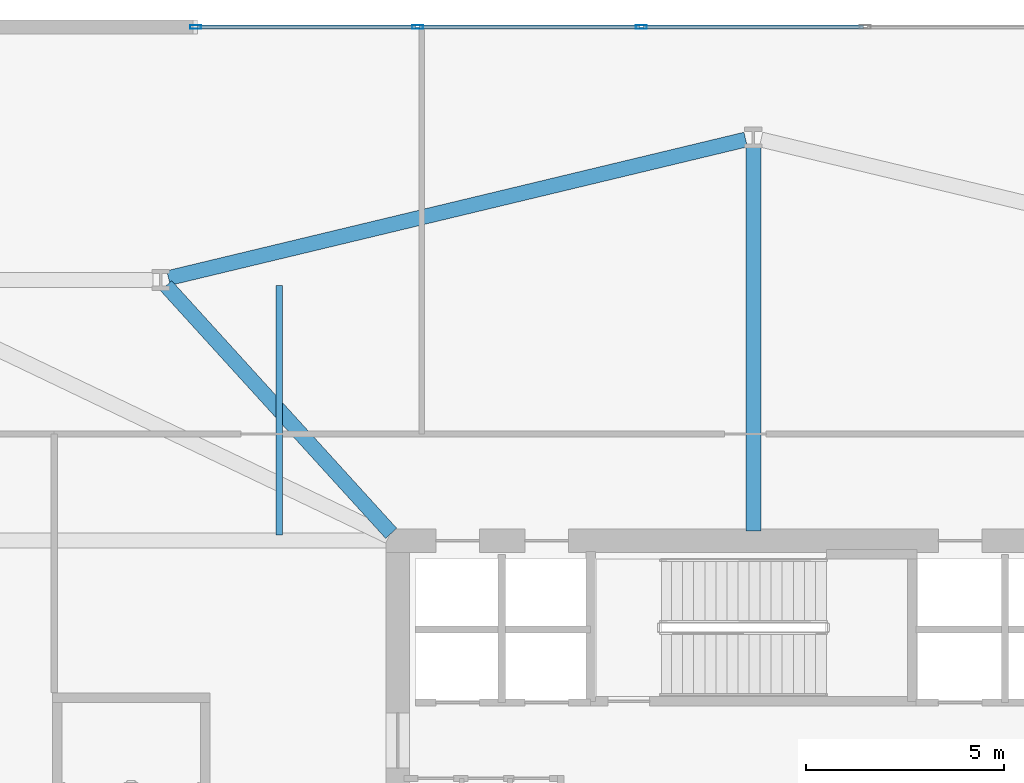
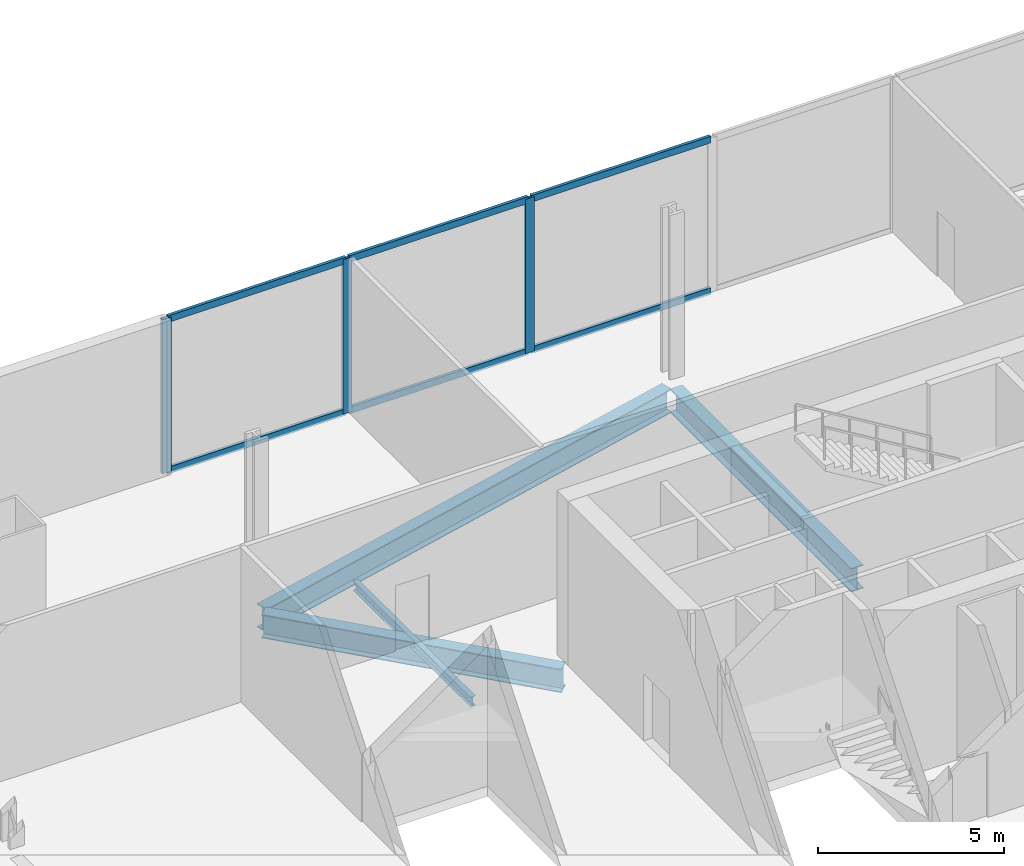
# One storey, part 7 of 20: 9 members, 4 beams, 1 element without a shape of its own.
"""IFC4 building model written with IfcOpenShell, lengths in metres."""

import ifcopenshell
import ifcopenshell.guid

model = None  # the IFC model being written
_history = None  # IfcOwnerHistory: only IFC2X3 demands one
_inside = {}  # id of a spatial element -> (the spatial element, [elements in it])
_under = {}  # id of a project, library or spatial element -> (it, [spatial elements below it])
_declared = {}  # id of a project -> (the project, [libraries it declares])
_typed = {}  # id of a type object -> (the type object, [elements of that type])
_made_of = {}  # id of a material, layer set ... -> (it, [elements and type objects made of it])


def new_model(schema):
    """Start an empty IFC model of exactly this schema.

    Asked for "IFC4X3", IfcOpenShell would pick the latest addendum, in which some entities
    have other attributes; the version numbers below select the first issue.
    IFC2X3 requires an IfcOwnerHistory on every rooted entity: one is made here for all.
    """
    global model, _history
    if schema == "IFC4X3":
        model = ifcopenshell.file(schema_version=(4, 3, 0, 0))
    else:
        model = ifcopenshell.file(schema=schema)
    _inside.clear()
    _under.clear()
    _declared.clear()
    _typed.clear()
    _made_of.clear()
    _history = None
    if model.schema == "IFC2X3":
        org = make("IfcOrganization", Name="unknown")
        user = make(
            "IfcPersonAndOrganization",
            ThePerson=make("IfcPerson", FamilyName="unknown"),
            TheOrganization=org,
        )
        app = make(
            "IfcApplication",
            ApplicationDeveloper=org,
            Version="unknown",
            ApplicationFullName="unknown",
            ApplicationIdentifier="unknown",
        )
        _history = make(
            "IfcOwnerHistory",
            OwningUser=user,
            OwningApplication=app,
            ChangeAction="ADDED",
            CreationDate=0,
        )
    return model


def make(cls, **values):
    """One entity of the class cls with the attributes given. An attribute that is None is left unset."""
    return model.create_entity(
        cls, **{name: value for name, value in values.items() if value is not None}
    )


def rooted(cls, **values):
    """An entity with a GlobalId (a new one), such as an element, a storey or a relation."""
    return make(cls, GlobalId=ifcopenshell.guid.new(), OwnerHistory=_history, **values)


def si_unit(unit_type, name, prefix=None):
    """IfcSIUnit, for example si_unit("LENGTHUNIT", "METRE", prefix="MILLI")."""
    return make("IfcSIUnit", UnitType=unit_type, Prefix=prefix, Name=name)


def assignment(units):
    """IfcUnitAssignment: the units of a project."""
    return None if units is None else make("IfcUnitAssignment", Units=units)


def point(xyz):
    """IfcCartesianPoint."""
    return None if xyz is None else make("IfcCartesianPoint", Coordinates=xyz)


def direction(xyz):
    """IfcDirection."""
    return None if xyz is None else make("IfcDirection", DirectionRatios=xyz)


def frame(location, z_axis=None, x_axis=None):
    """IfcAxis2Placement3D, a coordinate frame: its origin and axes. An axis left out is left unset."""
    return make(
        "IfcAxis2Placement3D",
        Location=point(location),
        Axis=direction(z_axis),
        RefDirection=direction(x_axis),
    )


def frame_2d(location, x_axis=None):
    """IfcAxis2Placement2D, a coordinate frame in the plane: its origin and x axis."""
    return make(
        "IfcAxis2Placement2D", Location=point(location), RefDirection=direction(x_axis)
    )


def origin():
    """The frame at (0, 0, 0) with its axes left unset."""
    return frame((0.0, 0.0, 0.0))


def origin_2d():
    """The frame at (0, 0) in the plane with its x axis left unset."""
    return frame_2d((0.0, 0.0))


def place(relative_to, where):
    """IfcLocalPlacement: puts the frame where relative to a parent placement (None: the world)."""
    return make(
        "IfcLocalPlacement", PlacementRelTo=relative_to, RelativePlacement=where
    )


def context(
    kind, dimensions, precision=None, world=None, true_north=None, identifier=None
):
    """IfcGeometricRepresentationContext, for example the 3D "Model" context."""
    return make(
        "IfcGeometricRepresentationContext",
        ContextIdentifier=identifier,
        ContextType=kind,
        CoordinateSpaceDimension=dimensions,
        Precision=precision,
        WorldCoordinateSystem=world,
        TrueNorth=true_north,
    )


def subcontext(parent, identifier, kind, view, scale=None):
    """IfcGeometricRepresentationSubContext, for example "Body" below "Model"."""
    return make(
        "IfcGeometricRepresentationSubContext",
        ContextIdentifier=identifier,
        ContextType=kind,
        ParentContext=parent,
        TargetScale=scale,
        TargetView=view,
    )


def project(units=None, contexts=None):
    """IfcProject with its units and contexts."""
    return rooted(
        "IfcProject",
        Name="project",
        RepresentationContexts=contexts,
        UnitsInContext=assignment(units),
    )


def spatial(cls, under=None, at=None, **own):
    """A site, building, storey or space (cls), placed at a placement, below another one or the project."""
    s = rooted(cls, ObjectPlacement=at, **own)
    if under is not None:
        _under.setdefault(under.id(), (under, []))[1].append(s)
    return s


def profile(cls, at=None, kind="AREA", **sizes):
    """A parametric profile (cls). Its sizes go by their IFC names, for example OverallWidth=200.0."""
    return make(cls, ProfileType=kind, Position=at, **sizes)


def hollow_rectangle(**sizes):
    """IfcRectangleHollowProfileDef."""
    return profile("IfcRectangleHollowProfileDef", **sizes)


def i_section(**sizes):
    """IfcIShapeProfileDef."""
    return profile("IfcIShapeProfileDef", **sizes)


def extrude(swept, where, along, depth):
    """IfcExtrudedAreaSolid: the profile swept, set in the frame where, extruded along a direction by depth."""
    return make(
        "IfcExtrudedAreaSolid",
        SweptArea=swept,
        Position=where,
        ExtrudedDirection=direction(along),
        Depth=depth,
    )


def shape(context_of_items, identifier, shape_type, items):
    """IfcShapeRepresentation: the items that make up one representation, for example the "Body"."""
    return make(
        "IfcShapeRepresentation",
        ContextOfItems=context_of_items,
        RepresentationIdentifier=identifier,
        RepresentationType=shape_type,
        Items=items,
    )


def material(Name=None, Category=None):
    """IfcMaterial."""
    return make("IfcMaterial", Name=Name, Category=Category)


def material_profile(
    of_material, cross_section, Name=None, Category=None, Priority=None
):
    """IfcMaterialProfile: a cross section and its material."""
    return make(
        "IfcMaterialProfile",
        Name=Name,
        Material=of_material,
        Profile=cross_section,
        Priority=Priority,
        Category=Category,
    )


def profile_set(profiles, Name=None, composite=None):
    """IfcMaterialProfileSet."""
    return make(
        "IfcMaterialProfileSet",
        Name=Name,
        MaterialProfiles=profiles,
        CompositeProfile=composite,
    )


def made_of(thing, what):
    """Note that an element or type object is made of a material, layer set ...; save() writes the relation."""
    if what is not None:
        _made_of.setdefault(what.id(), (what, []))[1].append(thing)
    return thing


def type_object(cls, material=None, **own):
    """A type object (cls), such as IfcWallType, which elements share."""
    return made_of(rooted(cls, **own), material)


def element(
    cls,
    number,
    at=None,
    inside=None,
    cuts=None,
    type_object=None,
    material=None,
    context=None,
    identifier="Body",
    shape_type=None,
    held_by="IfcProductDefinitionShape",
    body=None,
    shapes=None,
    **own,
):
    """One element of the class cls, such as IfcWall. Its Tag is "e" and its number.

    at: its placement. inside: the storey or other place that contains it. cuts: it is an
    opening in that element (IfcRelVoidsElement). A single representation is given by context,
    identifier, shape_type and body (its items); several are given by shapes. held_by: the class
    of the entity that holds the representations. save() writes the other relations.
    """
    e = rooted(cls, Tag="e%d" % number, ObjectPlacement=at, **own)
    if body is not None:
        shapes = [shape(context, identifier, shape_type, body)]
    if shapes is not None:
        e.Representation = make(held_by, Representations=shapes)
    if inside is not None:
        _inside.setdefault(inside.id(), (inside, []))[1].append(e)
    if cuts is not None:
        rooted(
            "IfcRelVoidsElement", RelatingBuildingElement=cuts, RelatedOpeningElement=e
        )
    if type_object is not None:
        _typed.setdefault(type_object.id(), (type_object, []))[1].append(e)
    return made_of(e, material)


def aggregate(whole, parts):
    """IfcRelAggregates: a whole, such as a stair, and the parts it consists of."""
    return rooted("IfcRelAggregates", RelatingObject=whole, RelatedObjects=parts)


def save(model, path):
    """Write the relations noted so far, then the file.

    IfcRelAggregates (storeys below a building ...), IfcRelContainedInSpatialStructure (elements
    in a storey), IfcRelDefinesByType, IfcRelAssociatesMaterial and IfcRelDeclares: one each for
    every whole, place, type object, material and project.
    """
    for whole, parts in _under.values():
        aggregate(whole, parts)
    for where, things in _inside.values():
        rooted(
            "IfcRelContainedInSpatialStructure",
            RelatedElements=things,
            RelatingStructure=where,
        )
    for kind, things in _typed.values():
        rooted("IfcRelDefinesByType", RelatedObjects=things, RelatingType=kind)
    for what, things in _made_of.values():
        rooted("IfcRelAssociatesMaterial", RelatedObjects=things, RelatingMaterial=what)
    for by, libraries in _declared.values():
        rooted("IfcRelDeclares", RelatingContext=by, RelatedDefinitions=libraries)
    model.write(path)


model = new_model("IFC4")

# Units and contexts
model_context = context("Model", 3, precision=1e-05, world=origin(), true_north=direction((0.0, 1.0)))
body_context = subcontext(model_context, "Body", "Model", "MODEL_VIEW")
ifc_project = project(units=[si_unit("LENGTHUNIT", "METRE"), si_unit("AREAUNIT", "SQUARE_METRE"), si_unit("VOLUMEUNIT", "CUBIC_METRE"), si_unit("PLANEANGLEUNIT", "RADIAN"), si_unit("MASSUNIT", "GRAM", prefix="KILO")], contexts=[model_context])

# Site, building, storey
site_placement = place(None, origin())
site = spatial("IfcSite", under=ifc_project, at=site_placement, CompositionType="ELEMENT")
building_placement = place(site_placement, origin())
building = spatial("IfcBuilding", under=site, at=building_placement, Name="Haldenkirk Collegiate Tower", CompositionType="ELEMENT")
storey_placement = place(building_placement, frame((0.0, 0.0, 11.39990234375)))
storey = spatial("IfcBuildingStorey", under=building, at=storey_placement, Name="L02", CompositionType="ELEMENT", Elevation=11.39990234375)

# Beams
ifc_material_1 = material(Name="Steel ASTM A992 Grade 50", Category="steel")
ifc_material_profile_1 = material_profile(ifc_material_1, i_section(OverallWidth=0.381103515625, OverallDepth=0.77294921875, WebThickness=0.0166015625, FlangeThickness=0.027099609375, at=origin_2d()), Name="W30X173")
ifc_profile_set_1 = profile_set([ifc_material_profile_1], Name="Steel ASTM A992 Grade 50")
beam_type_1 = type_object("IfcBeamType", Name="BM-GIRDER-W30X173", PredefinedType="BEAM", material=ifc_profile_set_1)
beam_1_placement = place(storey_placement, frame((35.805419921875, 44.1533203125, -0.71630859375), z_axis=(-0.972387449467, -0.233372337946, 0.0), x_axis=(0.233372337946, -0.972387449467, 0.0)))
element("IfcBeam", 1, at=beam_1_placement, inside=storey, type_object=beam_type_1, Name="L02 podium ring girder 10", PredefinedType="BEAM", context=body_context, shape_type="SweptSolid", body=[
    extrude(i_section(OverallWidth=0.381103515625, OverallDepth=0.77294921875, WebThickness=0.0166015625, FlangeThickness=0.027099609375, at=origin_2d()), origin(), (0.0, 0.0, 1.0), 15.025634765625),
])
beam_2_placement = place(storey_placement, frame((36.0, 44.0, -0.71630859375), z_axis=(0.0, -1.0, 0.0), x_axis=(1.0, 0.0, 0.0)))
element("IfcBeam", 2, at=beam_2_placement, inside=storey, type_object=beam_type_1, Name="L02 podium radial girder 06", PredefinedType="BEAM", context=body_context, shape_type="SweptSolid", body=[
    extrude(i_section(OverallWidth=0.381103515625, OverallDepth=0.77294921875, WebThickness=0.0166015625, FlangeThickness=0.027099609375, at=origin_2d()), origin(), (0.0, 0.0, 1.0), 9.75),
])
beam_3_placement = place(storey_placement, frame((21.134521484375, 40.451904296875, -0.71630859375), z_axis=(0.672681402593, -0.739932247307, 0.0), x_axis=(0.739932247307, 0.672681402593, 0.0)))
element("IfcBeam", 3, at=beam_3_placement, inside=storey, type_object=beam_type_1, Name="L02 podium radial girder 09", PredefinedType="BEAM", context=body_context, shape_type="SweptSolid", body=[
    extrude(i_section(OverallWidth=0.381103515625, OverallDepth=0.77294921875, WebThickness=0.0166015625, FlangeThickness=0.027099609375, at=origin_2d()), origin(), (0.0, 0.0, 1.0), 8.469482421875),
])
ifc_material_profile_2 = material_profile(ifc_material_1, i_section(OverallWidth=0.1650390625, OverallDepth=0.31005859375, WebThickness=0.005859375, FlangeThickness=0.009765625, at=origin_2d()), Name="W12X26")
ifc_profile_set_2 = profile_set([ifc_material_profile_2], Name="Steel ASTM A992 Grade 50")
beam_type_2 = type_object("IfcBeamType", Name="BM-JOIST-W12X26", PredefinedType="JOIST", material=ifc_profile_set_2)
beam_4_placement = place(storey_placement, frame((24.0, 34.139892578125, -0.48486328125), z_axis=(0.0, 1.0, 0.0), x_axis=(-1.0, 0.0, 0.0)))
element("IfcBeam", 4, at=beam_4_placement, inside=storey, type_object=beam_type_2, Name="L02 north bay floor joist 1", PredefinedType="JOIST", context=body_context, shape_type="SweptSolid", body=[
    extrude(i_section(OverallWidth=0.1650390625, OverallDepth=0.31005859375, WebThickness=0.005859375, FlangeThickness=0.009765625, at=origin_2d()), origin(), (0.0, 0.0, 1.0), 6.320068359375),
])

# Curtain wall, members
ifc_material_2 = material(Name="Anodised architectural bronze aluminium", Category="aluminium")
curtain_wall_type = type_object("IfcCurtainWallType", Name="CW-SYS3-PODIUM", PredefinedType="USERDEFINED", material=ifc_material_2)
curtain_wall_placement = place(storey_placement, origin())
curtain_wall = element("IfcCurtainWall", 5, at=curtain_wall_placement, inside=storey, type_object=curtain_wall_type, Name="L02 Podium campus concourse and library storefront curtain wall", ObjectType="UNITISED CURTAIN WALL", PredefinedType="USERDEFINED")
ifc_material_profile_3 = material_profile(ifc_material_2, hollow_rectangle(XDim=0.094970703125, YDim=0.280029296875, WallThickness=0.0048828125, at=origin_2d()), Name="CW-MUL-03")
ifc_profile_set_3 = profile_set([ifc_material_profile_3], Name="Anodised architectural bronze aluminium")
member_type_1 = type_object("IfcMemberType", Name="CW-MUL-03", PredefinedType="MULLION", material=ifc_profile_set_3)
member_1_placement = place(storey_placement, frame((21.87939453125, 47.0, 0.0), z_axis=(0.0, 0.0, 1.0), x_axis=(0.0, 1.0, 0.0)))
member_1 = element("IfcMember", 6, at=member_1_placement, type_object=member_type_1, Name="CW-03 mullion 1", PredefinedType="MULLION", context=body_context, shape_type="SweptSolid", body=[
    extrude(hollow_rectangle(XDim=0.094970703125, YDim=0.280029296875, WallThickness=0.0048828125, at=origin_2d()), origin(), (0.0, 0.0, 1.0), 5.070068359375),
])
member_2_placement = place(storey_placement, frame((27.499267578125, 47.0, 0.0), z_axis=(0.0, 0.0, 1.0), x_axis=(0.0, 1.0, 0.0)))
member_2 = element("IfcMember", 7, at=member_2_placement, type_object=member_type_1, Name="CW-03 mullion 2", PredefinedType="MULLION", context=body_context, shape_type="SweptSolid", body=[
    extrude(hollow_rectangle(XDim=0.094970703125, YDim=0.280029296875, WallThickness=0.0048828125, at=origin_2d()), origin(), (0.0, 0.0, 1.0), 5.070068359375),
])
member_3_placement = place(storey_placement, frame((33.16650390625, 47.0, 0.0), z_axis=(0.0, 0.0, 1.0), x_axis=(0.0, 1.0, 0.0)))
member_3 = element("IfcMember", 8, at=member_3_placement, type_object=member_type_1, Name="CW-03 mullion 3", PredefinedType="MULLION", context=body_context, shape_type="SweptSolid", body=[
    extrude(hollow_rectangle(XDim=0.094970703125, YDim=0.280029296875, WallThickness=0.0048828125, at=origin_2d()), origin(), (0.0, 0.0, 1.0), 5.070068359375),
])
ifc_material_profile_4 = material_profile(ifc_material_2, hollow_rectangle(XDim=0.094970703125, YDim=0.219970703125, WallThickness=0.0048828125, at=origin_2d()), Name="CW-TRN-03")
ifc_profile_set_4 = profile_set([ifc_material_profile_4], Name="Anodised architectural bronze aluminium")
member_type_2 = type_object("IfcMemberType", Name="CW-TRN-03", PredefinedType="USERDEFINED", material=ifc_profile_set_4)
member_4_placement = place(storey_placement, frame((21.927001953125, 47.0, 0.047607421875), z_axis=(1.0, 0.0, 0.0), x_axis=(0.0, 1.0, 0.0)))
member_4 = element("IfcMember", 9, at=member_4_placement, type_object=member_type_2, Name="CW-03 transom 1.1", ObjectType="TRANSOM", PredefinedType="USERDEFINED", context=body_context, shape_type="SweptSolid", body=[
    extrude(hollow_rectangle(XDim=0.094970703125, YDim=0.219970703125, WallThickness=0.0048828125, at=origin_2d()), origin(), (0.0, 0.0, 1.0), 5.524658203125),
])
member_5_placement = place(storey_placement, frame((21.927001953125, 47.0, 5.022705078125), z_axis=(1.0, 0.0, 0.0), x_axis=(0.0, 1.0, 0.0)))
member_5 = element("IfcMember", 10, at=member_5_placement, type_object=member_type_2, Name="CW-03 transom 1.2", ObjectType="TRANSOM", PredefinedType="USERDEFINED", context=body_context, shape_type="SweptSolid", body=[
    extrude(hollow_rectangle(XDim=0.094970703125, YDim=0.219970703125, WallThickness=0.0048828125, at=origin_2d()), origin(), (0.0, 0.0, 1.0), 5.524658203125),
])
member_6_placement = place(storey_placement, frame((27.546630859375, 47.0, 0.047607421875), z_axis=(1.0, 0.0, 0.0), x_axis=(0.0, 1.0, 0.0)))
member_6 = element("IfcMember", 11, at=member_6_placement, type_object=member_type_2, Name="CW-03 transom 2.1", ObjectType="TRANSOM", PredefinedType="USERDEFINED", context=body_context, shape_type="SweptSolid", body=[
    extrude(hollow_rectangle(XDim=0.094970703125, YDim=0.219970703125, WallThickness=0.0048828125, at=origin_2d()), origin(), (0.0, 0.0, 1.0), 5.572265625),
])
member_7_placement = place(storey_placement, frame((27.546630859375, 47.0, 5.022705078125), z_axis=(1.0, 0.0, 0.0), x_axis=(0.0, 1.0, 0.0)))
member_7 = element("IfcMember", 12, at=member_7_placement, type_object=member_type_2, Name="CW-03 transom 2.2", ObjectType="TRANSOM", PredefinedType="USERDEFINED", context=body_context, shape_type="SweptSolid", body=[
    extrude(hollow_rectangle(XDim=0.094970703125, YDim=0.219970703125, WallThickness=0.0048828125, at=origin_2d()), origin(), (0.0, 0.0, 1.0), 5.572265625),
])
member_8_placement = place(storey_placement, frame((33.2138671875, 47.0, 0.047607421875), z_axis=(1.0, 0.0, 0.0), x_axis=(0.0, 1.0, 0.0)))
member_8 = element("IfcMember", 13, at=member_8_placement, type_object=member_type_2, Name="CW-03 transom 3.1", ObjectType="TRANSOM", PredefinedType="USERDEFINED", context=body_context, shape_type="SweptSolid", body=[
    extrude(hollow_rectangle(XDim=0.094970703125, YDim=0.219970703125, WallThickness=0.0048828125, at=origin_2d()), origin(), (0.0, 0.0, 1.0), 5.572265625),
])
member_9_placement = place(storey_placement, frame((33.2138671875, 47.0, 5.022705078125), z_axis=(1.0, 0.0, 0.0), x_axis=(0.0, 1.0, 0.0)))
member_9 = element("IfcMember", 14, at=member_9_placement, type_object=member_type_2, Name="CW-03 transom 3.2", ObjectType="TRANSOM", PredefinedType="USERDEFINED", context=body_context, shape_type="SweptSolid", body=[
    extrude(hollow_rectangle(XDim=0.094970703125, YDim=0.219970703125, WallThickness=0.0048828125, at=origin_2d()), origin(), (0.0, 0.0, 1.0), 5.572265625),
])
aggregate(curtain_wall, [member_1, member_2, member_3, member_4, member_5, member_6, member_7, member_8, member_9])

save(model, "model.ifc")
